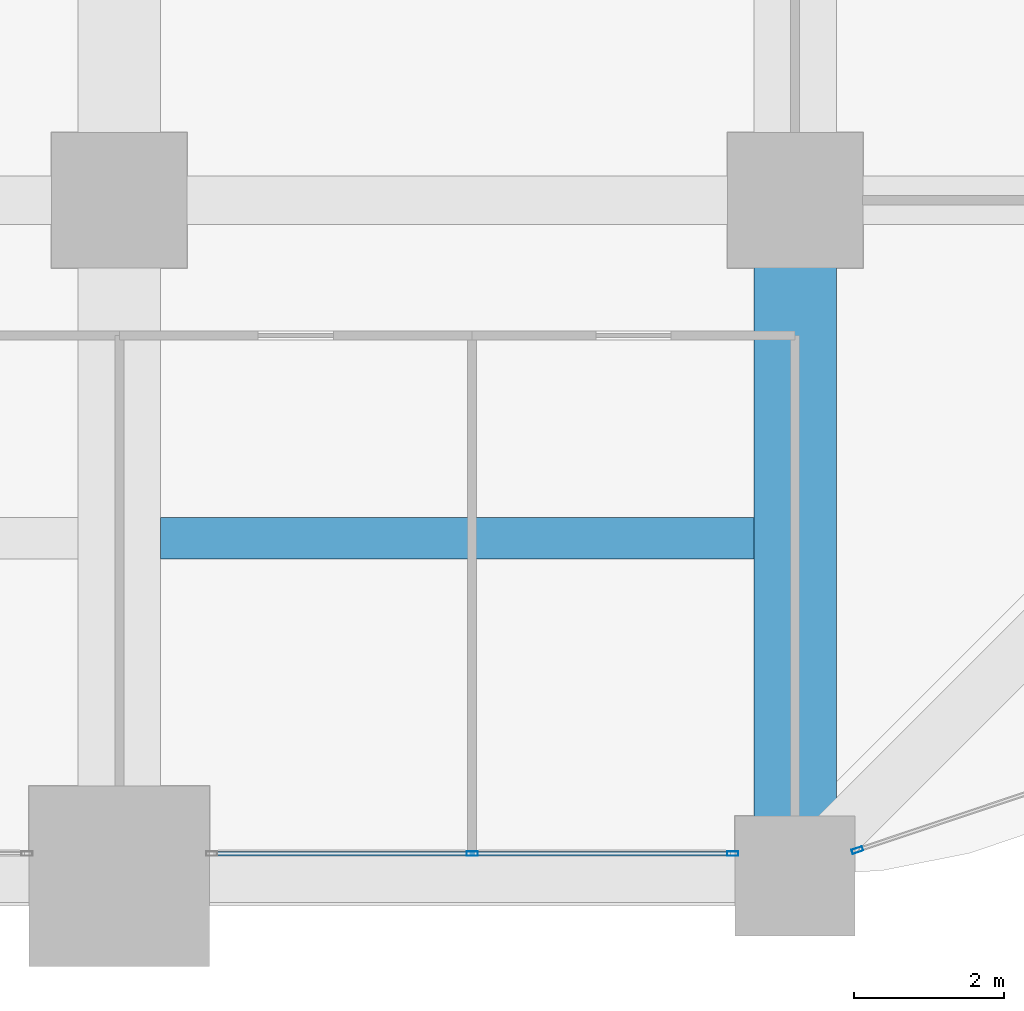
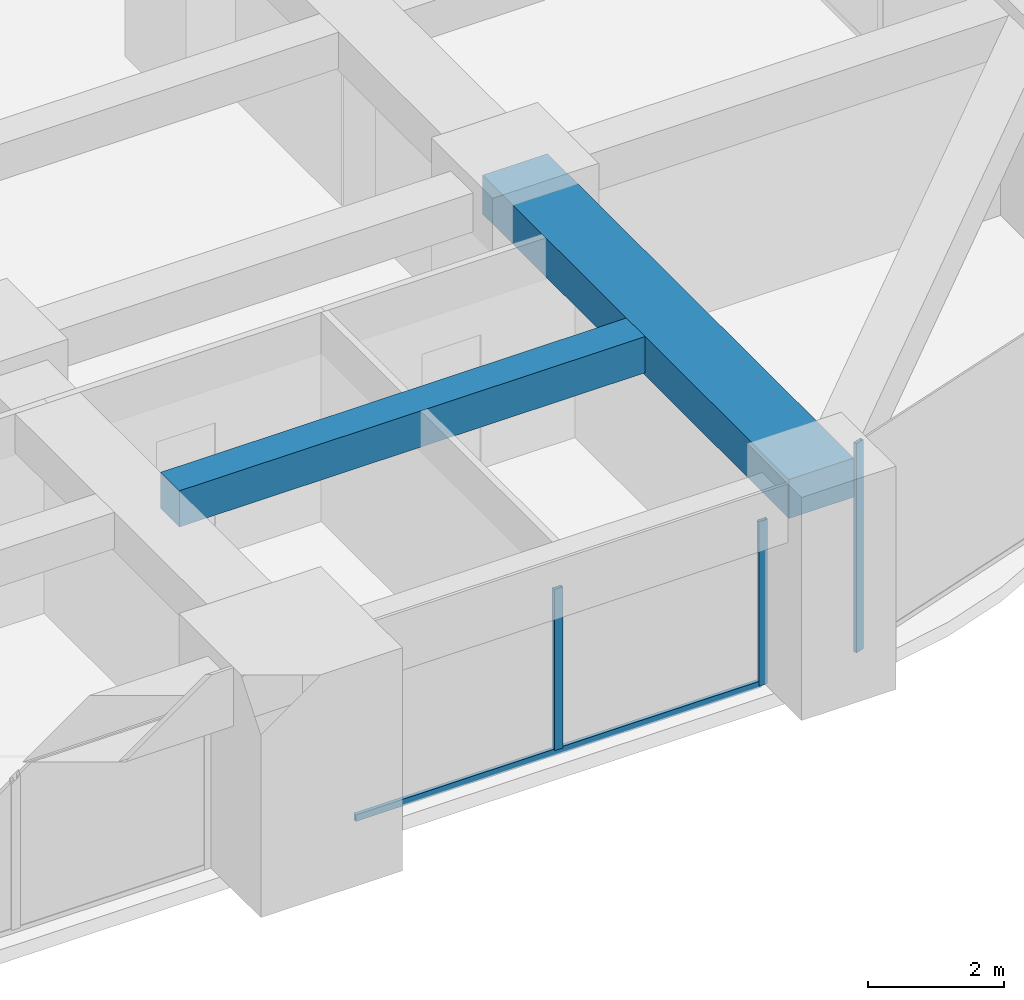
# One storey, part 16 of 41: 4 members, 2 beams, 2 elements without a shape of their own.
"""IFC4 building model written with IfcOpenShell, lengths in metres."""

from ifc_helpers import new_model, si_unit, direction, frame, origin, origin_2d, place, context, subcontext, project, spatial, rectangle, hollow_rectangle, extrude, material, material_profile, profile_set, type_object, element, aggregate, save


model = new_model("IFC4")

# Units and contexts
model_context = context("Model", 3, precision=1e-05, world=origin(), true_north=direction((0.0, 1.0)))
body_context = subcontext(model_context, "Body", "Model", "MODEL_VIEW")
ifc_project = project(units=[si_unit("LENGTHUNIT", "METRE"), si_unit("AREAUNIT", "SQUARE_METRE"), si_unit("VOLUMEUNIT", "CUBIC_METRE"), si_unit("PLANEANGLEUNIT", "RADIAN"), si_unit("MASSUNIT", "GRAM", prefix="KILO")], contexts=[model_context])

# Site, building, storey
site_placement = place(None, origin())
site = spatial("IfcSite", under=ifc_project, at=site_placement, CompositionType="ELEMENT")
building_placement = place(site_placement, origin())
building = spatial("IfcBuilding", under=site, at=building_placement, Name="Zorevar Civic Tower", CompositionType="ELEMENT")
storey_placement = place(building_placement, frame((0.0, 0.0, 137.0)))
storey = spatial("IfcBuildingStorey", under=building, at=storey_placement, Name="L33", CompositionType="ELEMENT", Elevation=137.0)

# Beams
ifc_material_1 = material(Name="Concrete C50/60", Category="concrete")
ifc_material_profile_1 = material_profile(ifc_material_1, rectangle(XDim=1.10009765625, YDim=0.699951171875, at=origin_2d()), Name="RC 1100x700")
ifc_profile_set_1 = profile_set([ifc_material_profile_1], Name="Concrete C50/60")
beam_type_1 = type_object("IfcBeamType", Name="Beam RC 1100x700", PredefinedType="BEAM", material=ifc_profile_set_1)
beam_1_placement = place(storey_placement, frame((54.0, 0.0, 3.39990234375), z_axis=(0.0, 1.0, 0.0), x_axis=(-1.0, 0.0, 0.0)))
element("IfcBeam", 1, at=beam_1_placement, inside=storey, type_object=beam_type_1, Name="Girder L34", PredefinedType="BEAM", context=body_context, shape_type="SweptSolid", body=[
    extrude(rectangle(XDim=1.10009765625, YDim=0.699951171875, at=origin_2d()), origin(), (0.0, 0.0, 1.0), 9.0),
])
ifc_material_2 = material(Name="Concrete C50/60", Category="concrete")
ifc_material_profile_2 = material_profile(ifc_material_2, rectangle(XDim=0.550048828125, YDim=0.64990234375, at=origin_2d()), Name="RC 550x650")
ifc_profile_set_2 = profile_set([ifc_material_profile_2], Name="Concrete C50/60")
beam_type_2 = type_object("IfcBeamType", Name="Beam RC 550x650", PredefinedType="BEAM", material=ifc_profile_set_2)
beam_2_placement = place(storey_placement, frame((45.550048828125, 4.5, 3.425048828125), z_axis=(1.0, 0.0, 0.0), x_axis=(0.0, 1.0, 0.0)))
element("IfcBeam", 2, at=beam_2_placement, inside=storey, type_object=beam_type_2, Name="Secondary beam L34", PredefinedType="BEAM", context=body_context, shape_type="SweptSolid", body=[
    extrude(rectangle(XDim=0.550048828125, YDim=0.64990234375, at=origin_2d()), origin(), (0.0, 0.0, 1.0), 7.89990234375),
])

# Curtain wall, members
ifc_material_3 = material(Name="Dark grey solar-control glass in black aluminium frame", Category="aluminium")
curtain_wall_type = type_object("IfcCurtainWallType", Name="Curtain wall CW3 mid zone", PredefinedType="NOTDEFINED", material=ifc_material_3)
curtain_wall_1_placement = place(storey_placement, origin())
curtain_wall_1 = element("IfcCurtainWall", 3, at=curtain_wall_1_placement, inside=storey, type_object=curtain_wall_type, Name="CW3 L33", PredefinedType="NOTDEFINED")
ifc_material_4 = material(Name="Aluminium, black anodised", Category="aluminium")
ifc_material_profile_3 = material_profile(ifc_material_4, hollow_rectangle(XDim=0.06005859375, YDim=0.14990234375, WallThickness=0.00390625, at=origin_2d()), Name="AL 150x60x4")
ifc_profile_set_3 = profile_set([ifc_material_profile_3], Name="Aluminium, black anodised")
member_type_1 = type_object("IfcMemberType", Name="CW3 mullion AL 150x60x4", PredefinedType="MULLION", material=ifc_profile_set_3)
member_1_placement = place(storey_placement, frame((49.699951171875, 0.300048828125, 0.06005859375), z_axis=(0.0, 0.0, 1.0), x_axis=(0.0, 1.0, 0.0)))
member_1 = element("IfcMember", 4, at=member_1_placement, type_object=member_type_1, Name="CW3 mullion 2", PredefinedType="MULLION", context=body_context, shape_type="SweptSolid", body=[
    extrude(hollow_rectangle(XDim=0.06005859375, YDim=0.14990234375, WallThickness=0.00390625, at=origin_2d()), origin(), (0.0, 0.0, 1.0), 2.889892578125),
])
member_2_placement = place(storey_placement, frame((53.169921875, 0.300048828125, 0.0), z_axis=(0.0, 0.0, 1.0), x_axis=(0.0, 1.0, 0.0)))
member_2 = element("IfcMember", 5, at=member_2_placement, type_object=member_type_1, Name="CW3 mullion 3", PredefinedType="MULLION", context=body_context, shape_type="SweptSolid", body=[
    extrude(hollow_rectangle(XDim=0.06005859375, YDim=0.14990234375, WallThickness=0.00390625, at=origin_2d()), origin(), (0.0, 0.0, 1.0), 2.949951171875),
])

# Curtain wall, member
curtain_wall_2_placement = place(storey_placement, origin())
curtain_wall_2 = element("IfcCurtainWall", 6, at=curtain_wall_2_placement, inside=storey, type_object=curtain_wall_type, Name="CW3 L33", PredefinedType="NOTDEFINED")
member_3_placement = place(storey_placement, frame((54.828369140625, 0.346435546875, 0.0), z_axis=(0.0, 0.0, 1.0), x_axis=(-0.317592669603, 0.948227238701, 0.0)))
member_3 = element("IfcMember", 7, at=member_3_placement, type_object=member_type_1, Name="CW3 mullion 1", PredefinedType="MULLION", context=body_context, shape_type="SweptSolid", body=[
    extrude(hollow_rectangle(XDim=0.06005859375, YDim=0.14990234375, WallThickness=0.00390625, at=origin_2d()), origin(), (0.0, 0.0, 1.0), 3.75),
])
aggregate(curtain_wall_2, [member_3])

# Member
ifc_material_5 = material(Name="Aluminium, black anodised", Category="aluminium")
ifc_material_profile_4 = material_profile(ifc_material_5, hollow_rectangle(XDim=0.06005859375, YDim=0.1201171875, WallThickness=0.0029296875, at=origin_2d()), Name="AL 120x60x3")
ifc_profile_set_4 = profile_set([ifc_material_profile_4], Name="Aluminium, black anodised")
member_type_2 = type_object("IfcMemberType", Name="CW3 transom AL 120x60x3", PredefinedType="USERDEFINED", material=ifc_profile_set_4)
member_4_placement = place(storey_placement, frame((46.260009765625, 0.300048828125, 0.030029296875), z_axis=(1.0, 0.0, 0.0), x_axis=(0.0, 1.0, 0.0)))
member_4 = element("IfcMember", 8, at=member_4_placement, type_object=member_type_2, Name="CW3 sill transom", ObjectType="TRANSOM", PredefinedType="USERDEFINED", context=body_context, shape_type="SweptSolid", body=[
    extrude(hollow_rectangle(XDim=0.06005859375, YDim=0.1201171875, WallThickness=0.0029296875, at=origin_2d()), origin(), (0.0, 0.0, 1.0), 6.8798828125),
])

aggregate(curtain_wall_1, [member_1, member_2, member_4])

save(model, "model.ifc")
